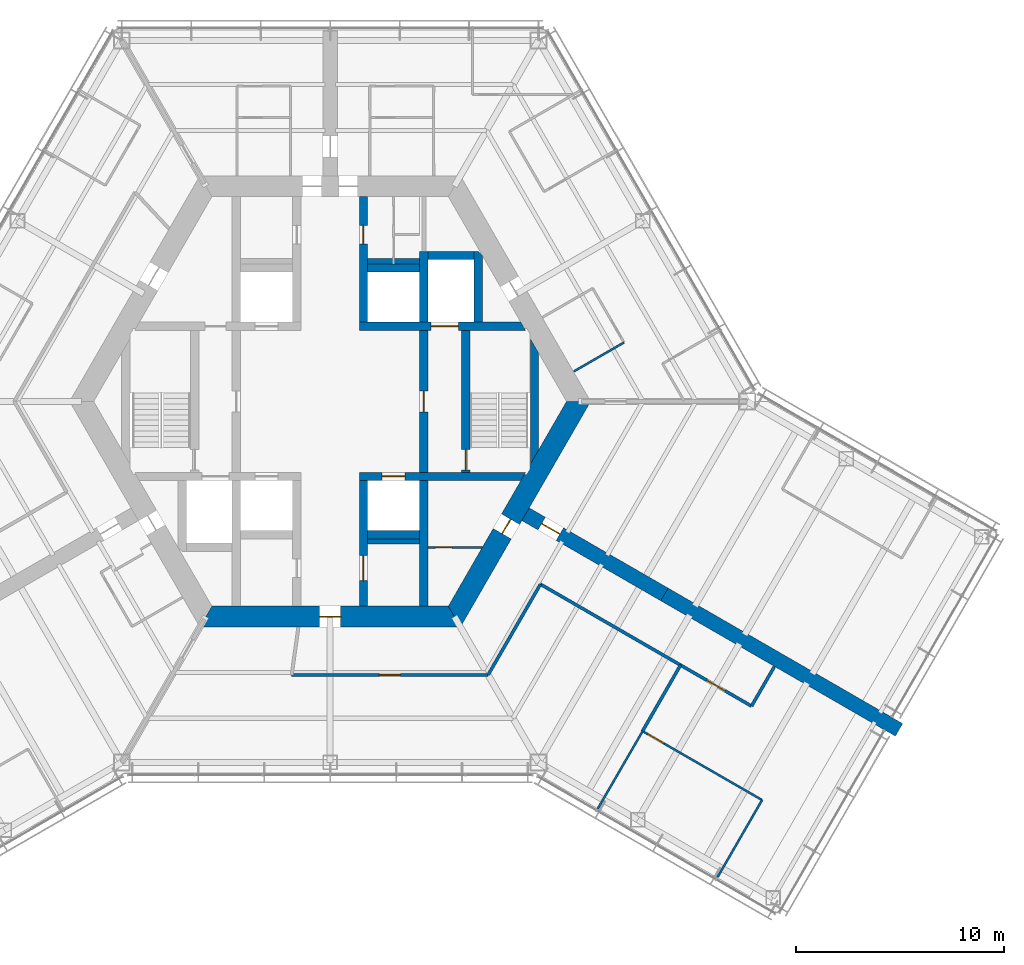
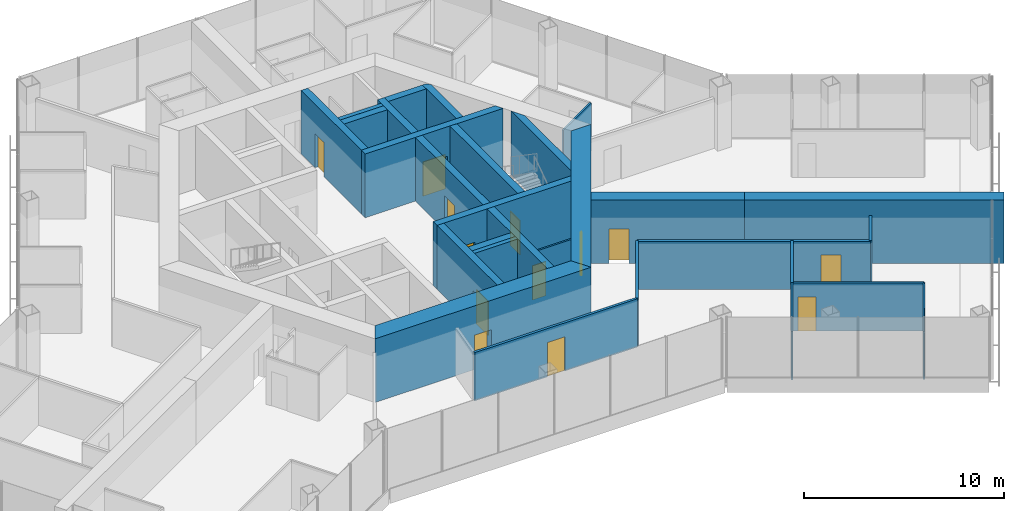
# One storey, part 13 of 18: 30 walls, 13 doors, 13 openings.
"""IFC4 building model written with IfcOpenShell, lengths in metres."""

from ifc_helpers import new_model, si_unit, direction, frame, frame_2d, origin, place, context, subcontext, project, spatial, polyline, rectangle, outline, extrude, material, layer, layer_set, type_object, element, fill, save


model = new_model("IFC4")

# Units and contexts
model_context = context("Model", 3, precision=1e-05, world=origin(), true_north=direction((0.0, 1.0)))
body_context = subcontext(model_context, "Body", "Model", "MODEL_VIEW")
ifc_project = project(units=[si_unit("LENGTHUNIT", "METRE"), si_unit("AREAUNIT", "SQUARE_METRE"), si_unit("VOLUMEUNIT", "CUBIC_METRE"), si_unit("PLANEANGLEUNIT", "RADIAN"), si_unit("MASSUNIT", "GRAM", prefix="KILO")], contexts=[model_context])

# Site, building, storey
site_placement = place(None, origin())
site = spatial("IfcSite", under=ifc_project, at=site_placement, CompositionType="ELEMENT")
building_placement = place(site_placement, origin())
building = spatial("IfcBuilding", under=site, at=building_placement, Name="Kasaneha Research Tower", CompositionType="ELEMENT")
storey_placement = place(building_placement, frame((0.0, 0.0, 144.800048828125)))
storey = spatial("IfcBuildingStorey", under=building, at=storey_placement, Name="L36", CompositionType="ELEMENT", Elevation=144.800048828125)

# Wall, opening, door
ifc_material_1 = material(Name="Concrete Fc70", Category="concrete")
ifc_layer_1 = layer(ifc_material_1, 0.39990234375)
ifc_layer_set_1 = layer_set([ifc_layer_1], Name="Core internal wall 400 Fc70")
wall_type_1 = type_object("IfcWallType", Name="Core internal wall 400 Fc70", PredefinedType="SHEAR", material=ifc_layer_set_1)
wall_1_placement = place(storey_placement, frame((1.39990234375, 3.60009765625, 0.0), z_axis=(0.0, 0.0, 1.0), x_axis=(1.0, 0.0, 0.0)))
wall_1 = element("IfcWall", 1, at=wall_1_placement, inside=storey, type_object=wall_type_1, Name="Core wall W1E L36", PredefinedType="SHEAR", context=body_context, shape_type="SweptSolid", body=[
    extrude(outline(polyline([(0.0, -0.199951171875), (3.449951171875, -0.199951171875), (4.75, -0.199951171875), (7.98193359375, -0.199951171875), (7.7509765625, 0.199951171875), (4.75, 0.199951171875), (3.449951171875, 0.199951171875), (0.0, 0.199951171875), (0.0, -0.199951171875)])), origin(), (0.0, 0.0, 1.0), 3.89990234375),
])
opening_1_placement = place(wall_1_placement, frame((3.449951171875, 0.0, 0.0)))
opening_1 = element("IfcOpeningElement", 2, at=opening_1_placement, cuts=wall_1, Name="Opening LD-FL1-L36", PredefinedType="OPENING", context=body_context, shape_type="SweptSolid", body=[
    extrude(rectangle(XDim=1.300048828125, YDim=2.10009765625, at=frame_2d((0.64990234375, 1.050048828125))), frame((0.0, 0.2099609375, 0.0), z_axis=(0.0, -1.0, 0.0), x_axis=(1.0, 0.0, 0.0)), (0.0, 0.0, 1.0), 0.419921875),
])
ifc_material_2 = material(Name="Steel", Category="steel")
door_type_1 = type_object("IfcDoorType", Name="Lift landing door 1300x2100", OperationType="DOUBLE_DOOR_SLIDING", PredefinedType="DOOR", material=ifc_material_2)
door_1_placement = place(opening_1_placement, origin())
door_1 = element("IfcDoor", 3, at=door_1_placement, inside=storey, type_object=door_type_1, Name="Landing door FL1 LD-FL1-L36", OperationType="DOUBLE_DOOR_SLIDING", OverallHeight=2.10009765625, OverallWidth=1.300048828125, PredefinedType="DOOR", context=body_context, shape_type="SweptSolid", body=[
    extrude(rectangle(XDim=1.300048828125, YDim=2.10009765625, at=frame_2d((0.64990234375, 1.050048828125))), frame((0.0, 0.02490234375, 0.0), z_axis=(0.0, -1.0, 0.0), x_axis=(1.0, 0.0, 0.0)), (0.0, 0.0, 1.0), 0.050048828125),
])
fill(opening_1, door_1)

wall_2_placement = place(storey_placement, frame((1.39990234375, -3.60009765625, 0.0), z_axis=(0.0, 0.0, 1.0), x_axis=(1.0, 0.0, 0.0)))
wall_2 = element("IfcWall", 4, at=wall_2_placement, inside=storey, type_object=wall_type_1, Name="Core wall W2E L36", PredefinedType="SHEAR", context=body_context, shape_type="SweptSolid", body=[
    extrude(outline(polyline([(0.0, -0.199951171875), (1.10009765625, -0.199951171875), (2.2001953125, -0.199951171875), (7.7509765625, -0.199951171875), (7.98193359375, 0.199951171875), (2.2001953125, 0.199951171875), (1.10009765625, 0.199951171875), (0.0, 0.199951171875), (0.0, -0.199951171875)])), origin(), (0.0, 0.0, 1.0), 3.89990234375),
])
opening_2_placement = place(wall_2_placement, frame((1.10009765625, 0.0, 0.0)))
opening_2 = element("IfcOpeningElement", 5, at=opening_2_placement, cuts=wall_2, Name="Opening LD-LM2-L36", PredefinedType="OPENING", context=body_context, shape_type="SweptSolid", body=[
    extrude(rectangle(XDim=1.10009765625, YDim=2.10009765625, at=frame_2d((0.550048828125, 1.050048828125))), frame((0.0, 0.2099609375, 0.0), z_axis=(0.0, -1.0, 0.0), x_axis=(1.0, 0.0, 0.0)), (0.0, 0.0, 1.0), 0.419921875),
])
ifc_material_3 = material(Name="Steel", Category="steel")
door_type_2 = type_object("IfcDoorType", Name="Lift landing door 1100x2100", OperationType="DOUBLE_DOOR_SLIDING", PredefinedType="DOOR", material=ifc_material_3)
door_2_placement = place(opening_2_placement, origin())
door_2 = element("IfcDoor", 6, at=door_2_placement, inside=storey, type_object=door_type_2, Name="Landing door LM2 LD-LM2-L36", OperationType="DOUBLE_DOOR_SLIDING", OverallHeight=2.10009765625, OverallWidth=1.10009765625, PredefinedType="DOOR", context=body_context, shape_type="SweptSolid", body=[
    extrude(rectangle(XDim=1.10009765625, YDim=2.10009765625, at=frame_2d((0.550048828125, 1.050048828125))), frame((0.0, 0.02490234375, 0.0), z_axis=(0.0, -1.0, 0.0), x_axis=(1.0, 0.0, 0.0)), (0.0, 0.0, 1.0), 0.050048828125),
])
fill(opening_2, door_2)

wall_3_placement = place(storey_placement, frame((1.60009765625, 3.800048828125, 0.0), z_axis=(0.0, 0.0, 1.0), x_axis=(0.0, 1.0, 0.0)))
wall_3 = element("IfcWall", 7, at=wall_3_placement, inside=storey, type_object=wall_type_1, Name="Core wall CNE L36", PredefinedType="SHEAR", context=body_context, shape_type="SweptSolid", body=[
    extrude(rectangle(XDim=6.02490234375, YDim=0.39990234375, at=frame_2d((3.012451171875, 0.0))), origin(), (0.0, 0.0, 1.0), 3.89990234375),
])
opening_3_placement = place(wall_3_placement, frame((3.75, 0.0, 0.0)))
opening_3 = element("IfcOpeningElement", 8, at=opening_3_placement, cuts=wall_3, Name="Opening L36-D14", PredefinedType="OPENING", context=body_context, shape_type="SweptSolid", body=[
    extrude(rectangle(XDim=0.89990234375, YDim=2.10009765625, at=frame_2d((0.449951171875, 1.050048828125))), frame((0.0, 0.2099609375, 0.0), z_axis=(0.0, -1.0, 0.0), x_axis=(1.0, 0.0, 0.0)), (0.0, 0.0, 1.0), 0.419921875),
])
ifc_material_4 = material(Name="Steel", Category="steel")
door_type_3 = type_object("IfcDoorType", Name="Toilet door FD20 900x2100", OperationType="NOTDEFINED", PredefinedType="DOOR", material=ifc_material_4)
door_3_placement = place(opening_3_placement, origin())
door_3 = element("IfcDoor", 9, at=door_3_placement, inside=storey, type_object=door_type_3, Name="Women's WC door L36-D14", OperationType="SINGLE_SWING_LEFT", OverallHeight=2.10009765625, OverallWidth=0.89990234375, PredefinedType="DOOR", context=body_context, shape_type="SweptSolid", body=[
    extrude(rectangle(XDim=0.89990234375, YDim=2.10009765625, at=frame_2d((0.449951171875, 1.050048828125))), frame((0.0, 0.02490234375, 0.0), z_axis=(0.0, -1.0, 0.0), x_axis=(1.0, 0.0, 0.0)), (0.0, 0.0, 1.0), 0.050048828125),
])
fill(opening_3, door_3)

wall_4_placement = place(storey_placement, frame((1.60009765625, -3.800048828125, 0.0), z_axis=(0.0, 0.0, 1.0), x_axis=(0.0, -1.0, 0.0)))
wall_4 = element("IfcWall", 10, at=wall_4_placement, inside=storey, type_object=wall_type_1, Name="Core wall CSE L36", PredefinedType="SHEAR", context=body_context, shape_type="SweptSolid", body=[
    extrude(rectangle(XDim=6.02490234375, YDim=0.39990234375, at=frame_2d((3.012451171875, 0.0))), origin(), (0.0, 0.0, 1.0), 3.89990234375),
])
opening_4_placement = place(wall_4_placement, frame((3.60009765625, 0.0, 0.0)))
opening_4 = element("IfcOpeningElement", 11, at=opening_4_placement, cuts=wall_4, Name="Opening L36-D15", PredefinedType="OPENING", context=body_context, shape_type="SweptSolid", body=[
    extrude(rectangle(XDim=1.199951171875, YDim=2.10009765625, at=frame_2d((0.60009765625, 1.050048828125))), frame((0.0, 0.2099609375, 0.0), z_axis=(0.0, -1.0, 0.0), x_axis=(1.0, 0.0, 0.0)), (0.0, 0.0, 1.0), 0.419921875),
])
ifc_material_5 = material(Name="Steel", Category="steel")
door_type_4 = type_object("IfcDoorType", Name="Accessible toilet sliding door FD20 1200x2100", OperationType="SLIDING_TO_LEFT", PredefinedType="DOOR", material=ifc_material_5)
door_4_placement = place(opening_4_placement, origin())
door_4 = element("IfcDoor", 12, at=door_4_placement, inside=storey, type_object=door_type_4, Name="Accessible WC door L36-D15", OperationType="SLIDING_TO_LEFT", OverallHeight=2.10009765625, OverallWidth=1.199951171875, PredefinedType="DOOR", context=body_context, shape_type="SweptSolid", body=[
    extrude(rectangle(XDim=1.199951171875, YDim=2.10009765625, at=frame_2d((0.60009765625, 1.050048828125))), frame((0.0, 0.02490234375, 0.0), z_axis=(0.0, -1.0, 0.0), x_axis=(1.0, 0.0, 0.0)), (0.0, 0.0, 1.0), 0.050048828125),
])
fill(opening_4, door_4)

wall_5_placement = place(storey_placement, frame((4.5, -3.39990234375, 0.0), z_axis=(0.0, 0.0, 1.0), x_axis=(0.0, 1.0, 0.0)))
wall_5 = element("IfcWall", 13, at=wall_5_placement, inside=storey, type_object=wall_type_1, Name="Core wall LBE L36", PredefinedType="SHEAR", context=body_context, shape_type="SweptSolid", body=[
    extrude(rectangle(XDim=6.7998046875, YDim=0.39990234375, at=frame_2d((3.39990234375, 0.0))), origin(), (0.0, 0.0, 1.0), 3.89990234375),
])
opening_5_placement = place(wall_5_placement, frame((2.89990234375, 0.0, 0.0)))
opening_5 = element("IfcOpeningElement", 14, at=opening_5_placement, cuts=wall_5, Name="Opening L36-D08", PredefinedType="OPENING", context=body_context, shape_type="SweptSolid", body=[
    extrude(rectangle(XDim=1.0, YDim=2.10009765625, at=frame_2d((0.5, 1.050048828125))), frame((0.0, 0.2099609375, 0.0), z_axis=(0.0, -1.0, 0.0), x_axis=(1.0, 0.0, 0.0)), (0.0, 0.0, 1.0), 0.419921875),
])
ifc_material_6 = material(Name="Steel", Category="steel")
door_type_5 = type_object("IfcDoorType", Name="Specified fire door FD60 1000x2100", OperationType="NOTDEFINED", PredefinedType="DOOR", material=ifc_material_6)
door_5_placement = place(opening_5_placement, origin())
door_5 = element("IfcDoor", 15, at=door_5_placement, inside=storey, type_object=door_type_5, Name="Lift lobby door east L36-D08", OperationType="SINGLE_SWING_LEFT", OverallHeight=2.10009765625, OverallWidth=1.0, PredefinedType="DOOR", context=body_context, shape_type="SweptSolid", body=[
    extrude(rectangle(XDim=1.0, YDim=2.10009765625, at=frame_2d((0.5, 1.050048828125))), frame((0.0, 0.02490234375, 0.0), z_axis=(0.0, -1.0, 0.0), x_axis=(1.0, 0.0, 0.0)), (0.0, 0.0, 1.0), 0.050048828125),
])
fill(opening_5, door_5)

wall_6_placement = place(storey_placement, frame((6.5, -3.39990234375, 0.0), z_axis=(0.0, 0.0, 1.0), x_axis=(0.0, 1.0, 0.0)))
wall_6 = element("IfcWall", 16, at=wall_6_placement, inside=storey, type_object=wall_type_1, Name="Core wall ANE L36", PredefinedType="SHEAR", context=body_context, shape_type="SweptSolid", body=[
    extrude(rectangle(XDim=6.7998046875, YDim=0.39990234375, at=frame_2d((3.39990234375, 0.0))), origin(), (0.0, 0.0, 1.0), 3.89990234375),
])
opening_6_placement = place(wall_6_placement, frame((0.10009765625, 0.0, 0.0)))
opening_6 = element("IfcOpeningElement", 17, at=opening_6_placement, cuts=wall_6, Name="Opening L36-D10", PredefinedType="OPENING", context=body_context, shape_type="SweptSolid", body=[
    extrude(rectangle(XDim=1.0, YDim=2.10009765625, at=frame_2d((0.5, 1.050048828125))), frame((0.0, 0.2099609375, 0.0), z_axis=(0.0, -1.0, 0.0), x_axis=(1.0, 0.0, 0.0)), (0.0, 0.0, 1.0), 0.419921875),
])
door_6_placement = place(opening_6_placement, origin())
door_6 = element("IfcDoor", 18, at=door_6_placement, inside=storey, type_object=door_type_5, Name="Stair 1 door L36-D10", OperationType="SINGLE_SWING_LEFT", OverallHeight=2.10009765625, OverallWidth=1.0, PredefinedType="DOOR", context=body_context, shape_type="SweptSolid", body=[
    extrude(rectangle(XDim=1.0, YDim=2.10009765625, at=frame_2d((0.5, 1.050048828125))), frame((0.0, 0.02490234375, 0.0), z_axis=(0.0, -1.0, 0.0), x_axis=(1.0, 0.0, 0.0)), (0.0, 0.0, 1.0), 0.050048828125),
])
fill(opening_6, door_6)

# Walls
wall_7_placement = place(storey_placement, frame((4.5, 3.800048828125, 0.0), z_axis=(0.0, 0.0, 1.0), x_axis=(0.0, 1.0, 0.0)))
element("IfcWall", 19, at=wall_7_placement, inside=storey, type_object=wall_type_1, Name="Core wall FNE L36", PredefinedType="SHEAR", context=body_context, shape_type="SweptSolid", body=[
    extrude(rectangle(XDim=3.39990234375, YDim=0.39990234375, at=frame_2d((1.699951171875, 0.0))), origin(), (0.0, 0.0, 1.0), 3.89990234375),
])
wall_8_placement = place(storey_placement, frame((4.5, -3.800048828125, 0.0), z_axis=(0.0, 0.0, 1.0), x_axis=(0.0, -1.0, 0.0)))
element("IfcWall", 20, at=wall_8_placement, inside=storey, type_object=wall_type_1, Name="Core wall SSE L36", PredefinedType="SHEAR", context=body_context, shape_type="SweptSolid", body=[
    extrude(rectangle(XDim=6.02490234375, YDim=0.39990234375, at=frame_2d((3.012451171875, 0.0))), origin(), (0.0, 0.0, 1.0), 3.89990234375),
])
for number, where, z_axis, x_axis, name in (
    (21, (1.800048828125, 6.39990234375, 0.0), (0.0, 0.0, 1.0), (1.0, 0.0, 0.0), "Core wall N3N L36"),
    (22, (1.800048828125, -6.39990234375, 0.0), (0.0, 0.0, 1.0), (1.0, 0.0, 0.0), "Core wall S3S L36"),
):
    element("IfcWall", number, at=place(storey_placement, frame(where, z_axis=z_axis, x_axis=x_axis)), inside=storey, type_object=wall_type_1, Name=name, PredefinedType="SHEAR", context=body_context, shape_type="SweptSolid", body=[
        extrude(rectangle(XDim=2.5, YDim=0.39990234375, at=frame_2d((1.25, 0.0))), origin(), (0.0, 0.0, 1.0), 3.89990234375),
    ])
wall_9_placement = place(storey_placement, frame((4.699951171875, 7.0, 0.0), z_axis=(0.0, 0.0, 1.0), x_axis=(1.0, 0.0, 0.0)))
element("IfcWall", 23, at=wall_9_placement, inside=storey, type_object=wall_type_1, Name="Core wall F1N L36", PredefinedType="SHEAR", context=body_context, shape_type="SweptSolid", body=[
    extrude(rectangle(XDim=2.199951171875, YDim=0.39990234375, at=frame_2d((1.10009765625, 0.0))), origin(), (0.0, 0.0, 1.0), 3.89990234375),
])
wall_10_placement = place(storey_placement, frame((7.10009765625, 3.800048828125, 0.0), z_axis=(0.0, 0.0, 1.0), x_axis=(0.0, 1.0, 0.0)))
element("IfcWall", 24, at=wall_10_placement, inside=storey, type_object=wall_type_1, Name="Core wall F1E L36", PredefinedType="SHEAR", context=body_context, shape_type="SweptSolid", body=[
    extrude(outline(polyline([(0.0, -0.199951171875), (3.205810546875, -0.199951171875), (3.39990234375, 0.0), (3.39990234375, 0.199951171875), (0.0, 0.199951171875), (0.0, -0.199951171875)])), origin(), (0.0, 0.0, 1.0), 3.89990234375),
])
wall_11_placement = place(storey_placement, frame((9.807861328125, -2.662353515625, 0.0), z_axis=(0.0, 0.0, 1.0), x_axis=(0.0, 1.0, 0.0)))
element("IfcWall", 25, at=wall_11_placement, inside=storey, type_object=wall_type_1, Name="Core wall STE L36", PredefinedType="SHEAR", context=body_context, shape_type="SweptSolid", body=[
    extrude(outline(polyline([(0.346435546875, -0.199951171875), (4.978271484375, -0.199951171875), (5.671142578125, 0.199951171875), (-0.346435546875, 0.199951171875), (0.346435546875, -0.199951171875)])), origin(), (0.0, 0.0, 1.0), 3.89990234375),
])

# Wall, opening, door
ifc_material_7 = material(Name="Concrete Fc70", Category="concrete")
ifc_layer_2 = layer(ifc_material_7, 1.0)
ifc_layer_set_2 = layer_set([ifc_layer_2], Name="Core wall 1000 Fc70")
wall_type_2 = type_object("IfcWallType", Name="Core wall 1000 Fc70", PredefinedType="SHEAR", material=ifc_layer_set_2)
wall_12_placement = place(storey_placement, frame((-5.961181640625, -10.324951171875, 0.0), z_axis=(0.0, 0.0, 1.0), x_axis=(1.0, 0.0, 0.0)))
wall_12 = element("IfcWall", 26, at=wall_12_placement, inside=storey, type_object=wall_type_2, Name="Core wall 270 L36", PredefinedType="SHEAR", context=body_context, shape_type="SweptSolid", body=[
    extrude(outline(polyline([(-0.28857421875, -0.5), (5.461181640625, -0.5), (6.461181640625, -0.5), (12.2109375, -0.5), (11.6337890625, 0.5), (6.461181640625, 0.5), (5.461181640625, 0.5), (0.28857421875, 0.5), (-0.28857421875, -0.5)])), origin(), (0.0, 0.0, 1.0), 3.89990234375),
])
opening_7_placement = place(wall_12_placement, frame((5.461181640625, 0.0, 0.0)))
opening_7 = element("IfcOpeningElement", 27, at=opening_7_placement, cuts=wall_12, Name="Opening L36-D03", PredefinedType="OPENING", context=body_context, shape_type="SweptSolid", body=[
    extrude(rectangle(XDim=1.0, YDim=2.10009765625, at=frame_2d((0.5, 1.050048828125))), frame((0.0, 0.510009765625, 0.0), z_axis=(0.0, -1.0, 0.0), x_axis=(1.0, 0.0, 0.0)), (0.0, 0.0, 1.0), 1.02001953125),
])
ifc_material_8 = material(Name="Steel", Category="steel")
door_type_6 = type_object("IfcDoorType", Name="Fire door FD20 1000x2100", OperationType="NOTDEFINED", PredefinedType="DOOR", material=ifc_material_8)
door_7_placement = place(opening_7_placement, origin())
door_7 = element("IfcDoor", 28, at=door_7_placement, inside=storey, type_object=door_type_6, Name="Core door south L36-D03", OperationType="SINGLE_SWING_LEFT", OverallHeight=2.10009765625, OverallWidth=1.0, PredefinedType="DOOR", context=body_context, shape_type="SweptSolid", body=[
    extrude(rectangle(XDim=1.0, YDim=2.10009765625, at=frame_2d((0.5, 1.050048828125))), frame((0.0, 0.02490234375, 0.0), z_axis=(0.0, -1.0, 0.0), x_axis=(1.0, 0.0, 0.0)), (0.0, 0.0, 1.0), 0.050048828125),
])
fill(opening_7, door_7)

wall_13_placement = place(storey_placement, frame((5.961181640625, -10.324951171875, 0.0), z_axis=(0.0, 0.0, 1.0), x_axis=(0.500004296715, 0.866022923061, 0.0)))
wall_13 = element("IfcWall", 29, at=wall_13_placement, inside=storey, type_object=wall_type_2, Name="Core wall 330 L36", PredefinedType="SHEAR", context=body_context, shape_type="SweptSolid", body=[
    extrude(outline(polyline([(-0.28857421875, -0.5), (4.593994140625, -0.5), (5.39404296875, -0.5), (12.2109375, -0.5), (11.6337890625, 0.5), (5.39404296875, 0.5), (4.593994140625, 0.5), (0.28857421875, 0.5), (-0.28857421875, -0.5)])), origin(), (0.0, 0.0, 1.0), 3.89990234375),
])
opening_8_placement = place(wall_13_placement, frame((4.593994140625, 0.0, 0.0)))
opening_8 = element("IfcOpeningElement", 30, at=opening_8_placement, cuts=wall_13, Name="Opening L36-D05", PredefinedType="OPENING", context=body_context, shape_type="SweptSolid", body=[
    extrude(rectangle(XDim=0.800048828125, YDim=2.10009765625, at=frame_2d((0.39990234375, 1.050048828125))), frame((0.0, 0.510009765625, 0.0), z_axis=(0.0, -1.0, 0.0), x_axis=(1.0, 0.0, 0.0)), (0.0, 0.0, 1.0), 1.02001953125),
])
ifc_material_9 = material(Name="Steel", Category="steel")
door_type_7 = type_object("IfcDoorType", Name="Riser access door FD60 800x2100", OperationType="NOTDEFINED", PredefinedType="DOOR", material=ifc_material_9)
door_8_placement = place(opening_8_placement, origin())
door_8 = element("IfcDoor", 31, at=door_8_placement, inside=storey, type_object=door_type_7, Name="Pipe riser door L36-D05", OperationType="SINGLE_SWING_LEFT", OverallHeight=2.10009765625, OverallWidth=0.800048828125, PredefinedType="DOOR", context=body_context, shape_type="SweptSolid", body=[
    extrude(rectangle(XDim=0.800048828125, YDim=2.10009765625, at=frame_2d((0.39990234375, 1.050048828125))), frame((0.0, 0.02490234375, 0.0), z_axis=(0.0, -1.0, 0.0), x_axis=(1.0, 0.0, 0.0)), (0.0, 0.0, 1.0), 0.050048828125),
])
fill(opening_8, door_8)

ifc_material_10 = material(Name="Gypsum board on steel studs, one layer each side", Category="steel")
ifc_layer_3 = layer(ifc_material_10, 0.10009765625)
ifc_layer_set_3 = layer_set([ifc_layer_3], Name="Office partition 100")
wall_type_3 = type_object("IfcWallType", Name="Office partition 100", PredefinedType="PARTITIONING", material=ifc_layer_set_3)
wall_14_placement = place(storey_placement, frame((4.699951171875, -7.0, 0.0), z_axis=(0.0, 0.0, 1.0), x_axis=(1.0, 0.0, 0.0)))
wall_14 = element("IfcWall", 32, at=wall_14_placement, inside=storey, type_object=wall_type_3, Name="Office partition RS-SE L36", PredefinedType="PARTITIONING", context=body_context, shape_type="SweptSolid", body=[
    extrude(outline(polyline([(0.0, -0.050048828125), (0.35009765625, -0.050048828125), (1.150146484375, -0.050048828125), (2.57470703125, -0.050048828125), (2.603515625, 0.0), (2.609375, 0.050048828125), (1.150146484375, 0.050048828125), (0.35009765625, 0.050048828125), (0.0, 0.050048828125), (0.0, -0.050048828125)])), origin(), (0.0, 0.0, 1.0), 2.949951171875),
])
opening_9_placement = place(wall_14_placement, frame((0.35009765625, 0.0, 0.0)))
opening_9 = element("IfcOpeningElement", 33, at=opening_9_placement, cuts=wall_14, Name="Opening L36-D22", PredefinedType="OPENING", context=body_context, shape_type="SweptSolid", body=[
    extrude(rectangle(XDim=0.800048828125, YDim=2.10009765625, at=frame_2d((0.39990234375, 1.050048828125))), frame((0.0, 0.06005859375, 0.0), z_axis=(0.0, -1.0, 0.0), x_axis=(1.0, 0.0, 0.0)), (0.0, 0.0, 1.0), 0.1201171875),
])
door_9_placement = place(opening_9_placement, origin())
door_9 = element("IfcDoor", 34, at=door_9_placement, inside=storey, type_object=door_type_7, Name="Drainage riser door L36-D22", OperationType="SINGLE_SWING_LEFT", OverallHeight=2.10009765625, OverallWidth=0.800048828125, PredefinedType="DOOR", context=body_context, shape_type="SweptSolid", body=[
    extrude(rectangle(XDim=0.800048828125, YDim=2.10009765625, at=frame_2d((0.39990234375, 1.050048828125))), frame((0.0, 0.02490234375, 0.0), z_axis=(0.0, -1.0, 0.0), x_axis=(1.0, 0.0, 0.0)), (0.0, 0.0, 1.0), 0.050048828125),
])
fill(opening_9, door_9)

# Walls
wall_15_placement = place(storey_placement, frame((14.099609375, 2.828857421875, 0.0), z_axis=(0.0, 0.0, 1.0), x_axis=(-0.866018876994, -0.500011304563, 0.0)))
element("IfcWall", 35, at=wall_15_placement, inside=storey, type_object=wall_type_3, Name="Office partition FAE09 L36", PredefinedType="PARTITIONING", context=body_context, shape_type="SweptSolid", body=[
    extrude(rectangle(XDim=2.7802734375, YDim=0.10009765625, at=frame_2d((1.39013671875, 0.0))), origin(), (0.0, 0.0, 1.0), 2.949951171875),
])
wall_16_placement = place(storey_placement, frame((12.839599609375, -19.543212890625, 0.0), z_axis=(0.0, 0.0, 1.0), x_axis=(0.500980382613, 0.865458639241, 0.0)))
element("IfcWall", 36, at=wall_16_placement, inside=storey, type_object=wall_type_3, Name="Office partition FCS07 L36", PredefinedType="PARTITIONING", context=body_context, shape_type="SweptSolid", body=[
    extrude(rectangle(XDim=4.304931640625, YDim=0.10009765625, at=frame_2d((2.15234375, 0.0))), origin(), (0.0, 0.0, 1.0), 2.949951171875),
])

# Wall, opening, door
wall_17_placement = place(storey_placement, frame((14.989990234375, -15.81884765625, 0.0), z_axis=(0.0, 0.0, 1.0), x_axis=(0.866369113407, -0.499404204361, 0.0)))
wall_17 = element("IfcWall", 37, at=wall_17_placement, inside=storey, type_object=wall_type_3, Name="Office partition FCS08 L36", PredefinedType="PARTITIONING", context=body_context, shape_type="SweptSolid", body=[
    extrude(rectangle(XDim=6.61962890625, YDim=0.10009765625, at=frame_2d((3.309814453125, 0.0))), origin(), (0.0, 0.0, 1.0), 2.949951171875),
])
opening_10_placement = place(wall_17_placement, frame((0.300048828125, 0.0, 0.0)))
opening_10 = element("IfcOpeningElement", 38, at=opening_10_placement, cuts=wall_17, Name="Opening L36-D46", PredefinedType="OPENING", context=body_context, shape_type="SweptSolid", body=[
    extrude(rectangle(XDim=0.89990234375, YDim=2.10009765625, at=frame_2d((0.449951171875, 1.050048828125))), frame((0.0, 0.06005859375, 0.0), z_axis=(0.0, -1.0, 0.0), x_axis=(1.0, 0.0, 0.0)), (0.0, 0.0, 1.0), 0.1201171875),
])
ifc_material_11 = material(Name="Timber veneer", Category="wood")
door_type_8 = type_object("IfcDoorType", Name="Office door 900x2100", OperationType="SINGLE_SWING_LEFT", PredefinedType="DOOR", material=ifc_material_11)
door_10_placement = place(opening_10_placement, origin())
door_10 = element("IfcDoor", 39, at=door_10_placement, inside=storey, type_object=door_type_8, Name="Meeting room door L36-D46", OperationType="SINGLE_SWING_LEFT", OverallHeight=2.10009765625, OverallWidth=0.89990234375, PredefinedType="DOOR", context=body_context, shape_type="SweptSolid", body=[
    extrude(rectangle(XDim=0.89990234375, YDim=2.10009765625, at=frame_2d((0.449951171875, 1.050048828125))), frame((0.0, 0.02490234375, 0.0), z_axis=(0.0, -1.0, 0.0), x_axis=(1.0, 0.0, 0.0)), (0.0, 0.0, 1.0), 0.050048828125),
])
fill(opening_10, door_10)

# Wall
wall_18_placement = place(storey_placement, frame((20.72509765625, -19.124755859375, 0.0), z_axis=(0.0, 0.0, 1.0), x_axis=(-0.500028586798, -0.86600889856, 0.0)))
element("IfcWall", 40, at=wall_18_placement, inside=storey, type_object=wall_type_3, Name="Office partition FCS09 L36", PredefinedType="PARTITIONING", context=body_context, shape_type="SweptSolid", body=[
    extrude(rectangle(XDim=4.280029296875, YDim=0.10009765625, at=frame_2d((2.14013671875, 0.0))), origin(), (0.0, 0.0, 1.0), 2.949951171875),
])

# Wall, opening, door
ifc_material_12 = material(Name="Concrete Fc70", Category="concrete")
ifc_layer_4 = layer(ifc_material_12, 0.699951171875)
ifc_layer_set_4 = layer_set([ifc_layer_4], Name="Spine wall 700 Fc70")
wall_type_4 = type_object("IfcWallType", Name="Spine wall 700 Fc70", PredefinedType="SHEAR", material=ifc_layer_set_4)
wall_19_placement = place(storey_placement, frame((9.374755859375, -5.41259765625, 0.0), z_axis=(0.0, 0.0, 1.0), x_axis=(0.866032377459, -0.499987921047, 0.0)))
wall_19 = element("IfcWall", 41, at=wall_19_placement, inside=storey, type_object=wall_type_4, Name="Spine wall C L36", PredefinedType="SHEAR", context=body_context, shape_type="SweptSolid", body=[
    extrude(rectangle(XDim=7.695556640625, YDim=0.699951171875, at=frame_2d((3.84765625, 0.0))), origin(), (0.0, 0.0, 1.0), 3.89990234375),
])
opening_11_placement = place(wall_19_placement, frame((0.89990234375, 0.0, 0.0)))
opening_11 = element("IfcOpeningElement", 42, at=opening_11_placement, cuts=wall_19, Name="Opening L36-D19", PredefinedType="OPENING", context=body_context, shape_type="SweptSolid", body=[
    extrude(rectangle(XDim=1.0, YDim=2.10009765625, at=frame_2d((0.5, 1.050048828125))), frame((0.0, 0.35986328125, 0.0), z_axis=(0.0, -1.0, 0.0), x_axis=(1.0, 0.0, 0.0)), (0.0, 0.0, 1.0), 0.719970703125),
])
door_11_placement = place(opening_11_placement, origin())
door_11 = element("IfcDoor", 43, at=door_11_placement, inside=storey, type_object=door_type_5, Name="Spine doorway C L36-D19", OperationType="SINGLE_SWING_LEFT", OverallHeight=2.10009765625, OverallWidth=1.0, PredefinedType="DOOR", context=body_context, shape_type="SweptSolid", body=[
    extrude(rectangle(XDim=1.0, YDim=2.10009765625, at=frame_2d((0.5, 1.050048828125))), frame((0.0, 0.02490234375, 0.0), z_axis=(0.0, -1.0, 0.0), x_axis=(1.0, 0.0, 0.0)), (0.0, 0.0, 1.0), 0.050048828125),
])
fill(opening_11, door_11)

# Wall
wall_20_placement = place(storey_placement, frame((16.039306640625, -9.26025390625, 0.0), z_axis=(0.0, 0.0, 1.0), x_axis=(0.866024837091, -0.50000098154, 0.0)))
element("IfcWall", 44, at=wall_20_placement, inside=storey, type_object=wall_type_4, Name="Spine wall C wing L36", PredefinedType="SHEAR", context=body_context, shape_type="SweptSolid", body=[
    extrude(rectangle(XDim=13.0, YDim=0.699951171875, at=frame_2d((6.5, 0.0))), origin(), (0.0, 0.0, 1.0), 3.89990234375),
])

# Wall, opening, door
ifc_material_13 = material(Name="Gypsum board on steel studs, two layers each side", Category="steel")
ifc_layer_5 = layer(ifc_material_13, 0.14990234375)
ifc_layer_set_5 = layer_set([ifc_layer_5], Name="Suite partition 150")
wall_type_5 = type_object("IfcWallType", Name="Suite partition 150", PredefinedType="PARTITIONING", material=ifc_layer_set_5)
wall_21_placement = place(storey_placement, frame((7.57763671875, -13.125, 0.0), z_axis=(0.0, 0.0, 1.0), x_axis=(-1.0, 0.0, 0.0)))
wall_21 = element("IfcWall", 45, at=wall_21_placement, inside=storey, type_object=wall_type_5, Name="Suite partition FCS02 L36", PredefinedType="PARTITIONING", context=body_context, shape_type="SweptSolid", body=[
    extrude(rectangle(XDim=9.422119140625, YDim=0.14990234375, at=frame_2d((4.7109375, 0.0))), origin(), (0.0, 0.0, 1.0), 2.949951171875),
])
opening_12_placement = place(wall_21_placement, frame((4.211181640625, 0.0, 0.0)))
opening_12 = element("IfcOpeningElement", 46, at=opening_12_placement, cuts=wall_21, Name="Opening L36-D44", PredefinedType="OPENING", context=body_context, shape_type="SweptSolid", body=[
    extrude(rectangle(XDim=1.0, YDim=2.10009765625, at=frame_2d((0.5, 1.050048828125))), frame((0.0, 0.0849609375, 0.0), z_axis=(0.0, -1.0, 0.0), x_axis=(1.0, 0.0, 0.0)), (0.0, 0.0, 1.0), 0.169921875),
])
ifc_material_14 = material(Name="Steel", Category="steel")
door_type_9 = type_object("IfcDoorType", Name="Suite entrance door FD60 1000x2100", OperationType="NOTDEFINED", PredefinedType="DOOR", material=ifc_material_14)
door_12_placement = place(opening_12_placement, origin())
door_12 = element("IfcDoor", 47, at=door_12_placement, inside=storey, type_object=door_type_9, Name="Suite entrance door L36-D44", OperationType="SINGLE_SWING_LEFT", OverallHeight=2.10009765625, OverallWidth=1.0, PredefinedType="DOOR", context=body_context, shape_type="SweptSolid", body=[
    extrude(rectangle(XDim=1.0, YDim=2.10009765625, at=frame_2d((0.5, 1.050048828125))), frame((0.0, 0.02490234375, 0.0), z_axis=(0.0, -1.0, 0.0), x_axis=(1.0, 0.0, 0.0)), (0.0, 0.0, 1.0), 0.050048828125),
])
fill(opening_12, door_12)

# Walls
wall_22_placement = place(storey_placement, frame((10.091552734375, -8.77099609375, 0.0), z_axis=(0.0, 0.0, 1.0), x_axis=(-0.500019495363, -0.866014147839, 0.0)))
element("IfcWall", 48, at=wall_22_placement, inside=storey, type_object=wall_type_5, Name="Suite partition FCS03 L36", PredefinedType="PARTITIONING", context=body_context, shape_type="SweptSolid", body=[
    extrude(rectangle(XDim=5.027587890625, YDim=0.14990234375, at=frame_2d((2.513671875, 0.0))), origin(), (0.0, 0.0, 1.0), 2.949951171875),
])
wall_23_placement = place(storey_placement, frame((16.821533203125, -12.656494140625, 0.0), z_axis=(0.0, 0.0, 1.0), x_axis=(-0.866028634939, 0.499994403434, 0.0)))
element("IfcWall", 49, at=wall_23_placement, inside=storey, type_object=wall_type_5, Name="Suite partition FCS04 L36", PredefinedType="PARTITIONING", context=body_context, shape_type="SweptSolid", body=[
    extrude(rectangle(XDim=7.77099609375, YDim=0.14990234375, at=frame_2d((3.885498046875, 0.0))), origin(), (0.0, 0.0, 1.0), 2.949951171875),
])

# Wall, opening, door
wall_24_placement = place(storey_placement, frame((20.22021484375, -14.61865234375, 0.0), z_axis=(0.0, 0.0, 1.0), x_axis=(-0.866011978186, 0.500023253097, 0.0)))
wall_24 = element("IfcWall", 50, at=wall_24_placement, inside=storey, type_object=wall_type_5, Name="Suite partition FCS05 L36", PredefinedType="PARTITIONING", context=body_context, shape_type="SweptSolid", body=[
    extrude(rectangle(XDim=3.934326171875, YDim=0.14990234375, at=frame_2d((1.96728515625, 0.0))), origin(), (0.0, 0.0, 1.0), 2.949951171875),
])
opening_13_placement = place(wall_24_placement, frame((1.46728515625, 0.0, 0.0)))
opening_13 = element("IfcOpeningElement", 51, at=opening_13_placement, cuts=wall_24, Name="Opening L36-D45", PredefinedType="OPENING", context=body_context, shape_type="SweptSolid", body=[
    extrude(rectangle(XDim=1.0, YDim=2.10009765625, at=frame_2d((0.5, 1.050048828125))), frame((0.0, 0.0849609375, 0.0), z_axis=(0.0, -1.0, 0.0), x_axis=(1.0, 0.0, 0.0)), (0.0, 0.0, 1.0), 0.169921875),
])
door_13_placement = place(opening_13_placement, origin())
door_13 = element("IfcDoor", 52, at=door_13_placement, inside=storey, type_object=door_type_9, Name="Suite entrance door L36-D45", OperationType="SINGLE_SWING_RIGHT", OverallHeight=2.10009765625, OverallWidth=1.0, PredefinedType="DOOR", context=body_context, shape_type="SweptSolid", body=[
    extrude(rectangle(XDim=1.0, YDim=2.10009765625, at=frame_2d((0.5, 1.050048828125))), frame((0.0, 0.02490234375, 0.0), z_axis=(0.0, -1.0, 0.0), x_axis=(1.0, 0.0, 0.0)), (0.0, 0.0, 1.0), 0.050048828125),
])
fill(opening_13, door_13)

# Walls
wall_25_placement = place(storey_placement, frame((21.310302734375, -12.730712890625, 0.0), z_axis=(0.0, 0.0, 1.0), x_axis=(-0.500029427677, -0.866008413041, 0.0)))
element("IfcWall", 53, at=wall_25_placement, inside=storey, type_object=wall_type_5, Name="Suite partition FCS06 L36", PredefinedType="PARTITIONING", context=body_context, shape_type="SweptSolid", body=[
    extrude(rectangle(XDim=2.179931640625, YDim=0.14990234375, at=frame_2d((1.08984375, 0.0))), origin(), (0.0, 0.0, 1.0), 2.949951171875),
])
wall_26_placement = place(storey_placement, frame((16.8125, -12.65185546875, 0.0), z_axis=(0.0, 0.0, 1.0), x_axis=(-0.498856473776, -0.866684613093, 0.0)))
element("IfcWall", 54, at=wall_26_placement, inside=storey, type_object=wall_type_5, Name="Suite partition FCS10 L36", PredefinedType="PARTITIONING", context=body_context, shape_type="SweptSolid", body=[
    extrude(rectangle(XDim=3.65380859375, YDim=0.14990234375, at=frame_2d((1.826904296875, 0.0))), origin(), (0.0, 0.0, 1.0), 2.949951171875),
])
ifc_material_15 = material(Name="Concrete block lining", Category="concrete")
ifc_layer_6 = layer(ifc_material_15, 0.25)
ifc_layer_set_6 = layer_set([ifc_layer_6], Name="WC plumbing wall 250")
wall_type_6 = type_object("IfcWallType", Name="WC plumbing wall 250", PredefinedType="PLUMBINGWALL", material=ifc_layer_set_6)
for number, where, z_axis, x_axis, name in (
    (55, (1.800048828125, 6.72509765625, 0.0), (0.0, 0.0, 1.0), (1.0, 0.0, 0.0), "WC plumbing wall F L36"),
    (56, (1.800048828125, -6.72509765625, 0.0), (0.0, 0.0, 1.0), (1.0, 0.0, 0.0), "WC plumbing wall A L36"),
):
    element("IfcWall", number, at=place(storey_placement, frame(where, z_axis=z_axis, x_axis=x_axis)), inside=storey, type_object=wall_type_6, Name=name, PredefinedType="PLUMBINGWALL", context=body_context, shape_type="SweptSolid", body=[
        extrude(rectangle(XDim=2.5, YDim=0.25, at=frame_2d((1.25, 0.0))), origin(), (0.0, 0.0, 1.0), 3.89990234375),
    ])

save(model, "model.ifc")
